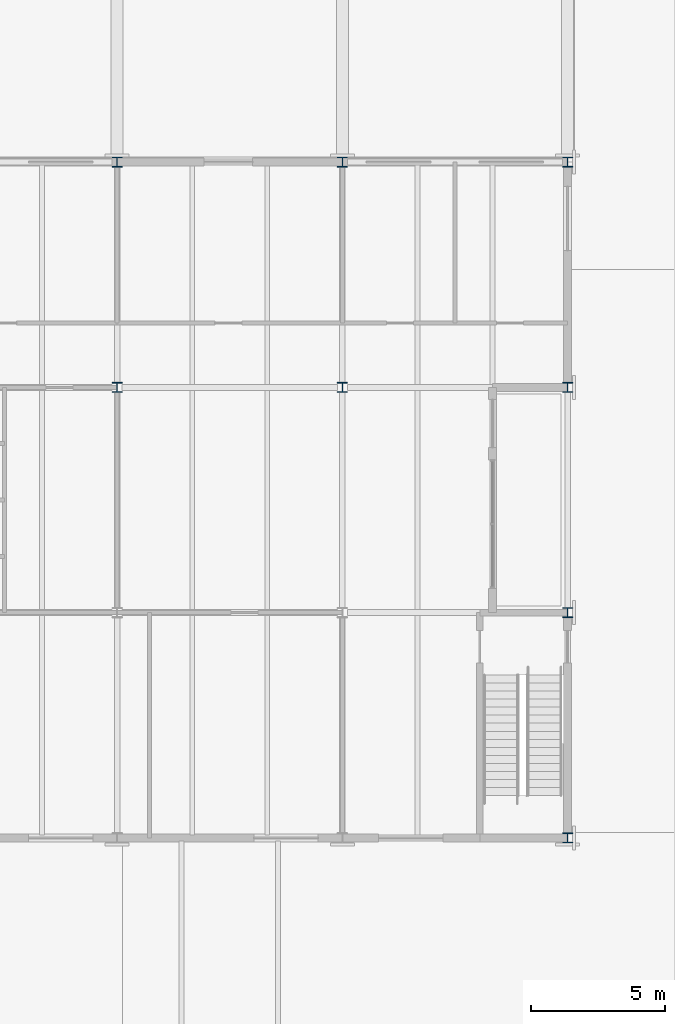
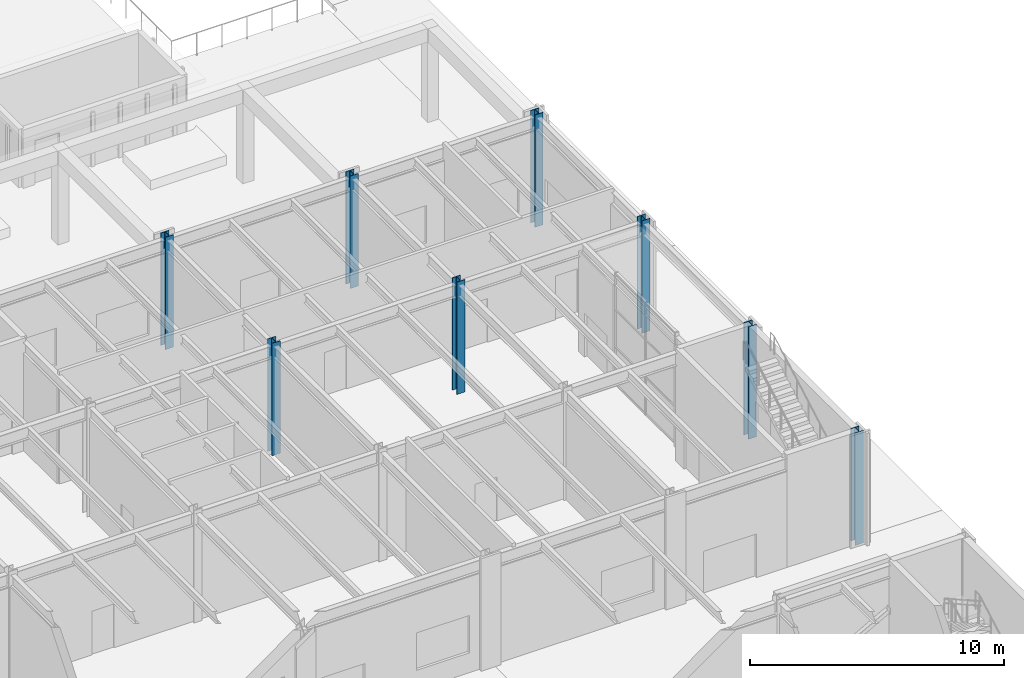
# One storey, part 30 of 127: 8 columns.
"""IFC4 building model written with IfcOpenShell, lengths in metres."""

from ifc_helpers import new_model, si_unit, direction, frame, origin, origin_2d, place, context, subcontext, project, spatial, i_section, extrude, material, material_profile, profile_set, type_object, element, save


model = new_model("IFC4")

# Units and contexts
model_context = context("Model", 3, precision=1e-05, world=origin(), true_north=direction((0.0, 1.0)))
body_context = subcontext(model_context, "Body", "Model", "MODEL_VIEW")
ifc_project = project(units=[si_unit("LENGTHUNIT", "METRE"), si_unit("AREAUNIT", "SQUARE_METRE"), si_unit("VOLUMEUNIT", "CUBIC_METRE"), si_unit("PLANEANGLEUNIT", "RADIAN"), si_unit("MASSUNIT", "GRAM", prefix="KILO")], contexts=[model_context])

# Site, building, storey
site_placement = place(None, origin())
site = spatial("IfcSite", under=ifc_project, at=site_placement, CompositionType="ELEMENT")
building_placement = place(site_placement, origin())
building = spatial("IfcBuilding", under=site, at=building_placement, Name="Ljudholm Concert House", CompositionType="ELEMENT")
storey_placement = place(building_placement, origin())
storey = spatial("IfcBuildingStorey", under=building, at=storey_placement, Name="L00", CompositionType="ELEMENT", Elevation=0.0)

# Columns
ifc_material = material(Name="Steel ASTM A992", Category="steel")
ifc_material_profile = material_profile(ifc_material, i_section(OverallWidth=0.373291015625, OverallDepth=0.373291015625, WebThickness=0.016357421875, FlangeThickness=0.026123046875, FilletRadius=0.01513671875, at=origin_2d()), Name="W14X132")
ifc_profile_set = profile_set([ifc_material_profile], Name="Steel ASTM A992")
column_type = type_object("IfcColumnType", Name="STEEL COLUMN W14X132", PredefinedType="COLUMN", material=ifc_profile_set)
for number, where, z_axis, x_axis, name in (
    (1, (104.800048828125, 121.60009765625, 0.0), (0.0, 0.0, 1.0), (1.0, 0.0, 0.0), "Column STUDIO-L00-col-104.8-121.6"),
    (2, (104.800048828125, 130.0, 0.0), (0.0, 0.0, 1.0), (1.0, 0.0, 0.0), "Column STUDIO-L00-col-104.8-130"),
    (3, (113.199951171875, 121.60009765625, 0.0), (0.0, 0.0, 1.0), (1.0, 0.0, 0.0), "Column STUDIO-L00-col-113.2-121.6"),
    (4, (113.199951171875, 130.0, 0.0), (0.0, 0.0, 1.0), (1.0, 0.0, 0.0), "Column STUDIO-L00-col-113.2-130"),
    (5, (121.60009765625, 104.800048828125, 0.0), (0.0, 0.0, 1.0), (1.0, 0.0, 0.0), "Column STUDIO-L00-col-121.6-104.8"),
    (6, (121.60009765625, 113.199951171875, 0.0), (0.0, 0.0, 1.0), (1.0, 0.0, 0.0), "Column STUDIO-L00-col-121.6-113.2"),
    (7, (121.60009765625, 121.60009765625, 0.0), (0.0, 0.0, 1.0), (1.0, 0.0, 0.0), "Column STUDIO-L00-col-121.6-121.6"),
    (8, (121.60009765625, 130.0, 0.0), (0.0, 0.0, 1.0), (1.0, 0.0, 0.0), "Column STUDIO-L00-col-121.6-130"),
):
    element("IfcColumn", number, at=place(storey_placement, frame(where, z_axis=z_axis, x_axis=x_axis)), inside=storey, type_object=column_type, Name=name, PredefinedType="COLUMN", context=body_context, shape_type="SweptSolid", body=[
        extrude(i_section(OverallWidth=0.373291015625, OverallDepth=0.373291015625, WebThickness=0.016357421875, FlangeThickness=0.026123046875, FilletRadius=0.01513671875, at=origin_2d()), origin(), (0.0, 0.0, 1.0), 5.39990234375),
    ])

save(model, "model.ifc")
